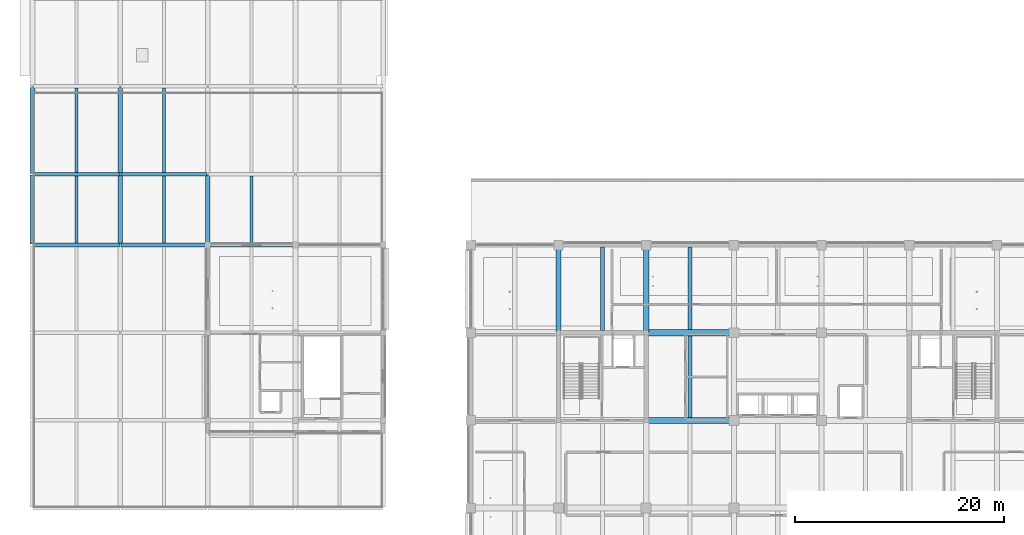
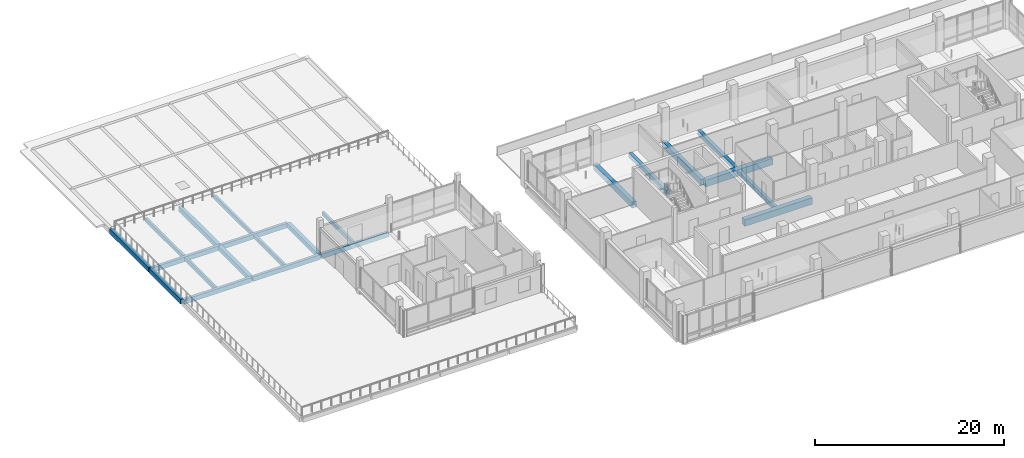
# One storey, part 8 of 59: 22 beams.
"""IFC4 building model written with IfcOpenShell, lengths in metres."""

from ifc_helpers import new_model, si_unit, direction, frame, origin, origin_2d, place, context, subcontext, project, spatial, rectangle, extrude, material, material_profile, profile_set, type_object, element, save


model = new_model("IFC4")

# Units and contexts
model_context = context("Model", 3, precision=1e-05, world=origin(), true_north=direction((0.0, 1.0)))
body_context = subcontext(model_context, "Body", "Model", "MODEL_VIEW")
ifc_project = project(units=[si_unit("LENGTHUNIT", "METRE"), si_unit("AREAUNIT", "SQUARE_METRE"), si_unit("VOLUMEUNIT", "CUBIC_METRE"), si_unit("PLANEANGLEUNIT", "RADIAN"), si_unit("MASSUNIT", "GRAM", prefix="KILO")], contexts=[model_context])

# Site, building, storey
site_placement = place(None, origin())
site = spatial("IfcSite", under=ifc_project, at=site_placement, CompositionType="ELEMENT")
building_placement = place(site_placement, origin())
building = spatial("IfcBuilding", under=site, at=building_placement, Name="Telukmera Botanical Conservatory", CompositionType="ELEMENT")
storey_placement = place(building_placement, frame((0.0, 0.0, 15.0)))
storey = spatial("IfcBuildingStorey", under=building, at=storey_placement, Name="L03", CompositionType="ELEMENT", Elevation=15.0)

# Beams
ifc_material = material(Name="Concrete C40/50", Category="concrete")
ifc_material_profile_1 = material_profile(ifc_material, rectangle(XDim=0.60009765625, YDim=0.85009765625, at=origin_2d()), Name="RC 600x850")
ifc_profile_set_1 = profile_set([ifc_material_profile_1], Name="Concrete C40/50")
beam_type_1 = type_object("IfcBeamType", Name="Beam_B11", PredefinedType="BEAM", material=ifc_profile_set_1)
for number, where, z_axis, x_axis, name in (
    (1, (67.280029296875, 26.0, -0.425048828125), (1.0, 0.0, 0.0), (0.0, 1.0, 0.0), "Tower Grid Beam L03"),
    (2, (67.280029296875, 34.39990234375, -0.425048828125), (1.0, 0.0, 0.0), (0.0, 1.0, 0.0), "Tower Grid Beam L03"),
):
    element("IfcBeam", number, at=place(storey_placement, frame(where, z_axis=z_axis, x_axis=x_axis)), inside=storey, type_object=beam_type_1, Name=name, PredefinedType="BEAM", context=body_context, shape_type="SweptSolid", body=[
        extrude(rectangle(XDim=0.60009765625, YDim=0.85009765625, at=origin_2d()), origin(), (0.0, 0.0, 1.0), 8.239990234375),
    ])
ifc_material_profile_2 = material_profile(ifc_material, rectangle(XDim=0.5, YDim=0.75, at=origin_2d()), Name="RC 500x750")
ifc_profile_set_2 = profile_set([ifc_material_profile_2], Name="Concrete C40/50")
beam_type_2 = type_object("IfcBeamType", Name="Beam_B13", PredefinedType="BEAM", material=ifc_profile_set_2)
for number, where, z_axis, x_axis, name in (
    (3, (58.800048828125, 34.47998046875, -0.375), (0.0, 1.0, 0.0), (-1.0, 0.0, 0.0), "Tower Transverse Beam L03"),
    (4, (67.199951171875, 34.47998046875, -0.375), (0.0, 1.0, 0.0), (-1.0, 0.0, 0.0), "Tower Transverse Beam L03"),
):
    element("IfcBeam", number, at=place(storey_placement, frame(where, z_axis=z_axis, x_axis=x_axis)), inside=storey, type_object=beam_type_2, Name=name, PredefinedType="BEAM", context=body_context, shape_type="SweptSolid", body=[
        extrude(rectangle(XDim=0.5, YDim=0.75, at=origin_2d()), origin(), (0.0, 0.0, 1.0), 8.239990234375),
    ])
ifc_material_profile_3 = material_profile(ifc_material, rectangle(XDim=0.449951171875, YDim=0.60009765625, at=origin_2d()), Name="RC 450x600")
ifc_profile_set_3 = profile_set([ifc_material_profile_3], Name="Concrete C40/50")
beam_type_3 = type_object("IfcBeamType", Name="Beam_B17", PredefinedType="BEAM", material=ifc_profile_set_3)
beam_1_placement = place(storey_placement, frame((8.39990234375, 42.8798828125, -0.300048828125), z_axis=(0.0, 1.0, 0.0), x_axis=(-1.0, 0.0, 0.0)))
element("IfcBeam", 5, at=beam_1_placement, inside=storey, type_object=beam_type_3, Name="Visitor Wing Transverse Beam L03", PredefinedType="BEAM", context=body_context, shape_type="SweptSolid", body=[
    extrude(rectangle(XDim=0.449951171875, YDim=0.60009765625, at=origin_2d()), origin(), (0.0, 0.0, 1.0), 6.64013671875),
])
beam_2_placement = place(storey_placement, frame((8.39990234375, 49.679931640625, -0.300048828125), z_axis=(0.0, 1.0, 0.0), x_axis=(-1.0, 0.0, 0.0)))
element("IfcBeam", 6, at=beam_2_placement, inside=storey, type_object=beam_type_3, Name="Visitor Wing Transverse Beam L03", PredefinedType="BEAM", context=body_context, shape_type="SweptSolid", body=[
    extrude(rectangle(XDim=0.449951171875, YDim=0.60009765625, at=origin_2d()), origin(), (0.0, 0.0, 1.0), 8.239990234375),
])
beam_3_placement = place(storey_placement, frame((16.800048828125, 42.8798828125, -0.300048828125), z_axis=(0.0, 1.0, 0.0), x_axis=(-1.0, 0.0, 0.0)))
element("IfcBeam", 7, at=beam_3_placement, inside=storey, type_object=beam_type_3, Name="Visitor Wing Transverse Beam L03", PredefinedType="BEAM", context=body_context, shape_type="SweptSolid", body=[
    extrude(rectangle(XDim=0.449951171875, YDim=0.60009765625, at=origin_2d()), origin(), (0.0, 0.0, 1.0), 6.64013671875),
])
beam_4_placement = place(storey_placement, frame((16.800048828125, 49.679931640625, -0.300048828125), z_axis=(0.0, 1.0, 0.0), x_axis=(-1.0, 0.0, 0.0)))
element("IfcBeam", 8, at=beam_4_placement, inside=storey, type_object=beam_type_3, Name="Visitor Wing Transverse Beam L03", PredefinedType="BEAM", context=body_context, shape_type="SweptSolid", body=[
    extrude(rectangle(XDim=0.449951171875, YDim=0.60009765625, at=origin_2d()), origin(), (0.0, 0.0, 1.0), 8.239990234375),
])
beam_5_placement = place(storey_placement, frame((25.199951171875, 42.8798828125, -0.300048828125), z_axis=(0.0, 1.0, 0.0), x_axis=(-1.0, 0.0, 0.0)))
element("IfcBeam", 9, at=beam_5_placement, inside=storey, type_object=beam_type_3, Name="Visitor Wing Transverse Beam L03", PredefinedType="BEAM", context=body_context, shape_type="SweptSolid", body=[
    extrude(rectangle(XDim=0.449951171875, YDim=0.60009765625, at=origin_2d()), origin(), (0.0, 0.0, 1.0), 6.64013671875),
])
ifc_material_profile_4 = material_profile(ifc_material, rectangle(XDim=0.39990234375, YDim=0.550048828125, at=origin_2d()), Name="RC 400x550")
ifc_profile_set_4 = profile_set([ifc_material_profile_4], Name="Concrete C40/50")
beam_type_4 = type_object("IfcBeamType", Name="Beam_B19", PredefinedType="JOIST", material=ifc_profile_set_4)
beam_6_placement = place(storey_placement, frame((63.0, 34.60009765625, -0.27490234375), z_axis=(0.0, 1.0, 0.0), x_axis=(-1.0, 0.0, 0.0)))
element("IfcBeam", 10, at=beam_6_placement, inside=storey, type_object=beam_type_4, Name="Tower Secondary Floor Joist L03", PredefinedType="JOIST", context=body_context, shape_type="SweptSolid", body=[
    extrude(rectangle(XDim=0.39990234375, YDim=0.550048828125, at=origin_2d()), origin(), (0.0, 0.0, 1.0), 8.0),
])
beam_7_placement = place(storey_placement, frame((71.39990234375, 26.300048828125, -0.27490234375), z_axis=(0.0, 1.0, 0.0), x_axis=(-1.0, 0.0, 0.0)))
element("IfcBeam", 11, at=beam_7_placement, inside=storey, type_object=beam_type_4, Name="Tower Secondary Floor Joist L03", PredefinedType="JOIST", context=body_context, shape_type="SweptSolid", body=[
    extrude(rectangle(XDim=0.39990234375, YDim=0.550048828125, at=origin_2d()), origin(), (0.0, 0.0, 1.0), 7.800048828125),
])
beam_8_placement = place(storey_placement, frame((71.39990234375, 34.699951171875, -0.27490234375), z_axis=(0.0, 1.0, 0.0), x_axis=(-1.0, 0.0, 0.0)))
element("IfcBeam", 12, at=beam_8_placement, inside=storey, type_object=beam_type_4, Name="Tower Secondary Floor Joist L03", PredefinedType="JOIST", context=body_context, shape_type="SweptSolid", body=[
    extrude(rectangle(XDim=0.39990234375, YDim=0.550048828125, at=origin_2d()), origin(), (0.0, 0.0, 1.0), 7.900146484375),
])
ifc_material_profile_5 = material_profile(ifc_material, rectangle(XDim=0.280029296875, YDim=0.5, at=origin_2d()), Name="RC 280x500")
ifc_profile_set_5 = profile_set([ifc_material_profile_5], Name="Concrete C40/50")
beam_type_5 = type_object("IfcBeamType", Name="Beam_B26", PredefinedType="JOIST", material=ifc_profile_set_5)
beam_9_placement = place(storey_placement, frame((12.60009765625, 42.97509765625, -0.25), z_axis=(0.0, 1.0, 0.0), x_axis=(-1.0, 0.0, 0.0)))
element("IfcBeam", 13, at=beam_9_placement, inside=storey, type_object=beam_type_5, Name="Visitor Wing Floor Joist L03", PredefinedType="JOIST", context=body_context, shape_type="SweptSolid", body=[
    extrude(rectangle(XDim=0.280029296875, YDim=0.5, at=origin_2d()), origin(), (0.0, 0.0, 1.0), 6.449951171875),
])
beam_10_placement = place(storey_placement, frame((12.60009765625, 49.77490234375, -0.25), z_axis=(0.0, 1.0, 0.0), x_axis=(-1.0, 0.0, 0.0)))
element("IfcBeam", 14, at=beam_10_placement, inside=storey, type_object=beam_type_5, Name="Visitor Wing Floor Joist L03", PredefinedType="JOIST", context=body_context, shape_type="SweptSolid", body=[
    extrude(rectangle(XDim=0.280029296875, YDim=0.5, at=origin_2d()), origin(), (0.0, 0.0, 1.0), 8.050048828125),
])
beam_11_placement = place(storey_placement, frame((21.0, 42.97509765625, -0.25), z_axis=(0.0, 1.0, 0.0), x_axis=(-1.0, 0.0, 0.0)))
element("IfcBeam", 15, at=beam_11_placement, inside=storey, type_object=beam_type_5, Name="Visitor Wing Floor Joist L03", PredefinedType="JOIST", context=body_context, shape_type="SweptSolid", body=[
    extrude(rectangle(XDim=0.280029296875, YDim=0.5, at=origin_2d()), origin(), (0.0, 0.0, 1.0), 6.449951171875),
])
beam_12_placement = place(storey_placement, frame((21.0, 49.77490234375, -0.25), z_axis=(0.0, 1.0, 0.0), x_axis=(-1.0, 0.0, 0.0)))
element("IfcBeam", 16, at=beam_12_placement, inside=storey, type_object=beam_type_5, Name="Visitor Wing Floor Joist L03", PredefinedType="JOIST", context=body_context, shape_type="SweptSolid", body=[
    extrude(rectangle(XDim=0.280029296875, YDim=0.5, at=origin_2d()), origin(), (0.0, 0.0, 1.0), 8.050048828125),
])
beam_13_placement = place(storey_placement, frame((29.39990234375, 42.97509765625, -0.25), z_axis=(0.0, 1.0, 0.0), x_axis=(-1.0, 0.0, 0.0)))
element("IfcBeam", 17, at=beam_13_placement, inside=storey, type_object=beam_type_5, Name="Visitor Wing Floor Joist L03", PredefinedType="JOIST", context=body_context, shape_type="SweptSolid", body=[
    extrude(rectangle(XDim=0.280029296875, YDim=0.5, at=origin_2d()), origin(), (0.0, 0.0, 1.0), 6.449951171875),
])
ifc_material_profile_6 = material_profile(ifc_material, rectangle(XDim=0.35009765625, YDim=0.60009765625, at=origin_2d()), Name="RC 350x600")
ifc_profile_set_6 = profile_set([ifc_material_profile_6], Name="Concrete C40/50")
beam_type_6 = type_object("IfcBeamType", Name="Beam_B9", PredefinedType="BEAM", material=ifc_profile_set_6)
beam_14_placement = place(storey_placement, frame((8.47998046875, 42.800048828125, -0.300048828125), z_axis=(1.0, 0.0, 0.0), x_axis=(0.0, 1.0, 0.0)))
element("IfcBeam", 18, at=beam_14_placement, inside=storey, type_object=beam_type_6, Name="Visitor Wing Grid Beam L03", PredefinedType="BEAM", context=body_context, shape_type="SweptSolid", body=[
    extrude(rectangle(XDim=0.35009765625, YDim=0.60009765625, at=origin_2d()), origin(), (0.0, 0.0, 1.0), 8.239990234375),
])
beam_15_placement = place(storey_placement, frame((16.8798828125, 42.800048828125, -0.300048828125), z_axis=(1.0, 0.0, 0.0), x_axis=(0.0, 1.0, 0.0)))
element("IfcBeam", 19, at=beam_15_placement, inside=storey, type_object=beam_type_6, Name="Visitor Wing Grid Beam L03", PredefinedType="BEAM", context=body_context, shape_type="SweptSolid", body=[
    extrude(rectangle(XDim=0.35009765625, YDim=0.60009765625, at=origin_2d()), origin(), (0.0, 0.0, 1.0), 8.240234375),
])
for number, where, z_axis, x_axis, name in (
    (20, (25.280029296875, 42.800048828125, -0.300048828125), (1.0, 0.0, 0.0), (0.0, 1.0, 0.0), "Visitor Wing Grid Beam L03"),
    (21, (8.47998046875, 49.60009765625, -0.300048828125), (1.0, 0.0, 0.0), (0.0, 1.0, 0.0), "Visitor Wing Grid Beam L03"),
):
    element("IfcBeam", number, at=place(storey_placement, frame(where, z_axis=z_axis, x_axis=x_axis)), inside=storey, type_object=beam_type_6, Name=name, PredefinedType="BEAM", context=body_context, shape_type="SweptSolid", body=[
        extrude(rectangle(XDim=0.35009765625, YDim=0.60009765625, at=origin_2d()), origin(), (0.0, 0.0, 1.0), 8.239990234375),
    ])
beam_16_placement = place(storey_placement, frame((16.8798828125, 49.60009765625, -0.300048828125), z_axis=(1.0, 0.0, 0.0), x_axis=(0.0, 1.0, 0.0)))
element("IfcBeam", 22, at=beam_16_placement, inside=storey, type_object=beam_type_6, Name="Visitor Wing Grid Beam L03", PredefinedType="BEAM", context=body_context, shape_type="SweptSolid", body=[
    extrude(rectangle(XDim=0.35009765625, YDim=0.60009765625, at=origin_2d()), origin(), (0.0, 0.0, 1.0), 8.240234375),
])

save(model, "model.ifc")
